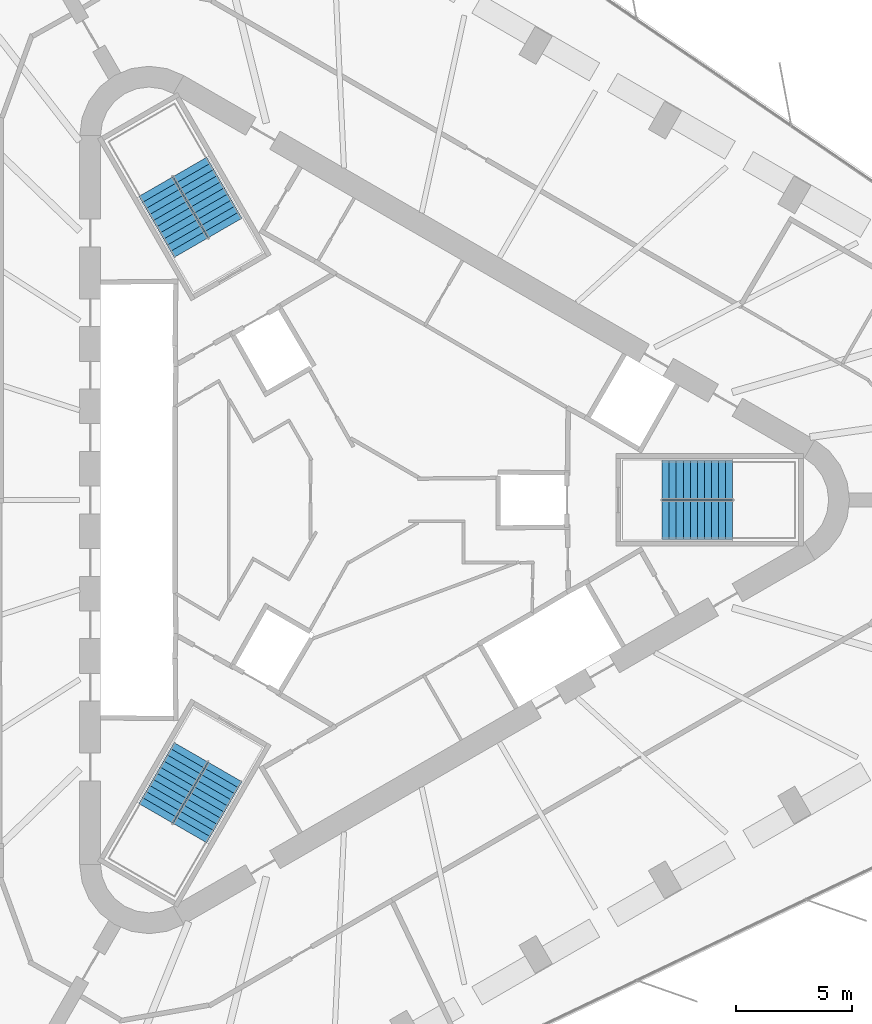
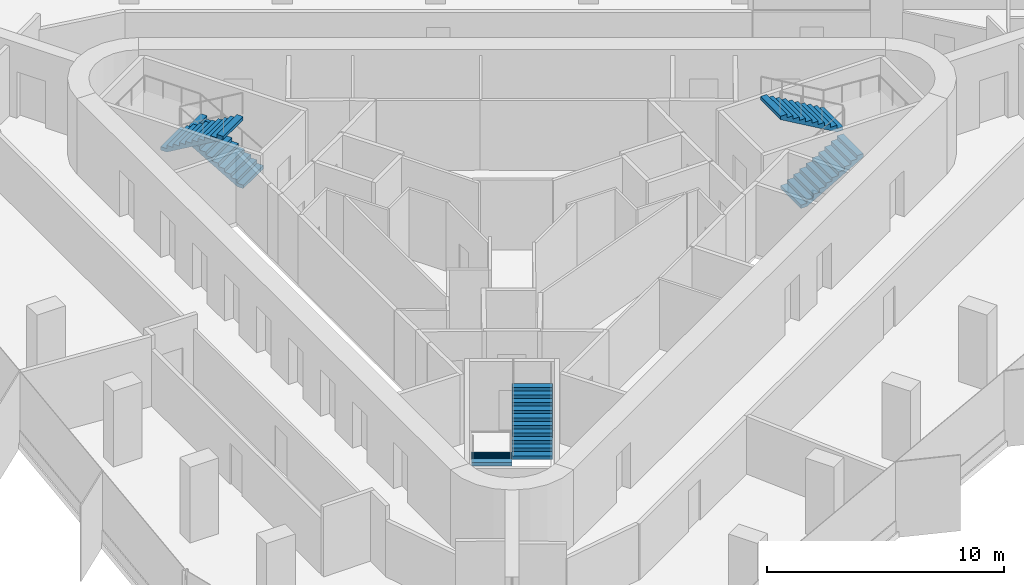
# One storey, part 13 of 14: 6 stair flights, 3 elements without a shape of their own.
"""IFC4 building model written with IfcOpenShell, lengths in metres."""

from ifc_helpers import new_model, si_unit, direction, frame, origin, place, context, subcontext, project, spatial, polyline, outline, extrude, material, type_object, element, aggregate, save


model = new_model("IFC4")

# Units and contexts
model_context = context("Model", 3, precision=1e-05, world=origin(), true_north=direction((0.0, 1.0)))
body_context = subcontext(model_context, "Body", "Model", "MODEL_VIEW")
ifc_project = project(units=[si_unit("LENGTHUNIT", "METRE"), si_unit("AREAUNIT", "SQUARE_METRE"), si_unit("VOLUMEUNIT", "CUBIC_METRE"), si_unit("PLANEANGLEUNIT", "RADIAN"), si_unit("MASSUNIT", "GRAM", prefix="KILO")], contexts=[model_context])

# Site, building, storey
site_placement = place(None, origin())
site = spatial("IfcSite", under=ifc_project, at=site_placement, CompositionType="ELEMENT")
building_placement = place(site_placement, origin())
building = spatial("IfcBuilding", under=site, at=building_placement, Name="Tanit Gate Tower", CompositionType="ELEMENT")
storey_placement = place(building_placement, frame((0.0, 0.0, 298.699951171875)))
storey = spatial("IfcBuildingStorey", under=building, at=storey_placement, Name="L66", CompositionType="ELEMENT", Elevation=298.699951171875)

# Stair, stair flights
ifc_material_1 = material(Name="Concrete C40/50", Category="concrete")
stair_type = type_object("IfcStairType", Name="INT-STAIR-EXIT", PredefinedType="HALF_TURN_STAIR", material=ifc_material_1)
stair_1_placement = place(storey_placement, origin())
stair_1 = element("IfcStair", 1, at=stair_1_placement, inside=storey, type_object=stair_type, Name="L66 STAIR S1", PredefinedType="HALF_TURN_STAIR")
ifc_material_2 = material(Name="Concrete C40/50", Category="concrete")
stair_flight_type = type_object("IfcStairFlightType", Name="INT-STAIR-FLIGHT", PredefinedType="STRAIGHT", material=ifc_material_2)
stair_flight_1_placement = place(storey_placement, frame((13.094970703125, -0.8525390625, 0.0), z_axis=(0.0, 0.0, 1.0), x_axis=(1.0, 0.0, 0.0)))
stair_flight_1 = element("IfcStairFlight", 2, at=stair_flight_1_placement, type_object=stair_flight_type, Name="S1 flight 1", NumberOfRisers=11, NumberOfTreads=10, PredefinedType="STRAIGHT", RiserHeight=0.177272727, TreadLength=0.3051, context=body_context, shape_type="SweptSolid", body=[
    extrude(outline(polyline([(0.0, 0.0), (0.0, 0.17724609375), (0.30517578125, 0.17724609375), (0.30517578125, 0.3544921875), (0.610107421875, 0.3544921875), (0.610107421875, 0.53173828125), (0.915283203125, 0.53173828125), (0.915283203125, 0.708984375), (1.220458984375, 0.708984375), (1.220458984375, 0.886474609375), (1.525390625, 0.886474609375), (1.525390625, 1.063720703125), (1.83056640625, 1.063720703125), (1.83056640625, 1.240966796875), (2.1357421875, 1.240966796875), (2.1357421875, 1.418212890625), (2.44091796875, 1.418212890625), (2.44091796875, 1.595458984375), (2.745849609375, 1.595458984375), (2.745849609375, 1.772705078125), (3.051025390625, 1.772705078125), (3.051025390625, 1.949951171875), (3.051025390625, 1.599365234375), (0.29833984375, 0.0), (0.0, 0.0)])), frame((0.0, 0.84765625, 0.0), z_axis=(0.0, -1.0, 0.0), x_axis=(1.0, 0.0, 0.0)), (0.0, 0.0, 1.0), 1.695068359375),
])
stair_flight_2_placement = place(storey_placement, frame((16.14599609375, 0.8525390625, 1.949951171875), z_axis=(0.0, 0.0, 1.0), x_axis=(-1.0, 0.0, 0.0)))
stair_flight_2 = element("IfcStairFlight", 3, at=stair_flight_2_placement, type_object=stair_flight_type, Name="S1 flight 2", NumberOfRisers=11, NumberOfTreads=10, PredefinedType="STRAIGHT", RiserHeight=0.177272727, TreadLength=0.3051, context=body_context, shape_type="SweptSolid", body=[
    extrude(outline(polyline([(0.0, 0.0), (0.0, 0.17724609375), (0.30517578125, 0.17724609375), (0.30517578125, 0.3544921875), (0.610107421875, 0.3544921875), (0.610107421875, 0.53173828125), (0.915283203125, 0.53173828125), (0.915283203125, 0.708984375), (1.220458984375, 0.708984375), (1.220458984375, 0.886474609375), (1.525390625, 0.886474609375), (1.525390625, 1.063720703125), (1.83056640625, 1.063720703125), (1.83056640625, 1.240966796875), (2.1357421875, 1.240966796875), (2.1357421875, 1.418212890625), (2.44091796875, 1.418212890625), (2.44091796875, 1.595458984375), (2.745849609375, 1.595458984375), (2.745849609375, 1.772705078125), (3.051025390625, 1.772705078125), (3.051025390625, 1.949951171875), (3.051025390625, 1.599365234375), (0.29833984375, 0.0), (0.0, 0.0)])), frame((0.0, 0.84765625, 0.0), z_axis=(0.0, -1.0, 0.0), x_axis=(1.0, 0.0, 0.0)), (0.0, 0.0, 1.0), 1.695068359375),
])
aggregate(stair_1, [stair_flight_1, stair_flight_2])

stair_2_placement = place(storey_placement, origin())
stair_2 = element("IfcStair", 4, at=stair_2_placement, inside=storey, type_object=stair_type, Name="L66 STAIR S2", PredefinedType="HALF_TURN_STAIR")
stair_flight_3_placement = place(storey_placement, frame((-5.808349609375, 11.766357421875, 0.0), z_axis=(0.0, 0.0, 1.0), x_axis=(-0.5, 0.866025403784, 0.0)))
stair_flight_3 = element("IfcStairFlight", 5, at=stair_flight_3_placement, type_object=stair_flight_type, Name="S2 flight 1", NumberOfRisers=11, NumberOfTreads=10, PredefinedType="STRAIGHT", RiserHeight=0.177272727, TreadLength=0.30492, context=body_context, shape_type="SweptSolid", body=[
    extrude(outline(polyline([(0.0, 0.0), (0.0, 0.17724609375), (0.304931640625, 0.17724609375), (0.304931640625, 0.3544921875), (0.60986328125, 0.3544921875), (0.60986328125, 0.53173828125), (0.914794921875, 0.53173828125), (0.914794921875, 0.708984375), (1.2197265625, 0.708984375), (1.2197265625, 0.886474609375), (1.524658203125, 0.886474609375), (1.524658203125, 1.063720703125), (1.82958984375, 1.063720703125), (1.82958984375, 1.240966796875), (2.134521484375, 1.240966796875), (2.134521484375, 1.418212890625), (2.439453125, 1.418212890625), (2.439453125, 1.595458984375), (2.744384765625, 1.595458984375), (2.744384765625, 1.772705078125), (3.04931640625, 1.772705078125), (3.04931640625, 1.949951171875), (3.04931640625, 1.599365234375), (0.29833984375, 0.0), (0.0, 0.0)])), frame((0.0, 0.84716796875, 0.0), z_axis=(0.0, -1.0, 0.0), x_axis=(1.0, 0.0, 0.0)), (0.0, 0.0, 1.0), 1.694091796875),
])
stair_flight_4_placement = place(storey_placement, frame((-8.810302734375, 13.553955078125, 1.949951171875), z_axis=(0.0, 0.0, 1.0), x_axis=(0.5, -0.866025403784, 0.0)))
stair_flight_4 = element("IfcStairFlight", 6, at=stair_flight_4_placement, type_object=stair_flight_type, Name="S2 flight 2", NumberOfRisers=11, NumberOfTreads=10, PredefinedType="STRAIGHT", RiserHeight=0.177272727, TreadLength=0.30492, context=body_context, shape_type="SweptSolid", body=[
    extrude(outline(polyline([(0.0, 0.0), (0.0, 0.17724609375), (0.304931640625, 0.17724609375), (0.304931640625, 0.3544921875), (0.60986328125, 0.3544921875), (0.60986328125, 0.53173828125), (0.914794921875, 0.53173828125), (0.914794921875, 0.708984375), (1.2197265625, 0.708984375), (1.2197265625, 0.886474609375), (1.524658203125, 0.886474609375), (1.524658203125, 1.063720703125), (1.82958984375, 1.063720703125), (1.82958984375, 1.240966796875), (2.134521484375, 1.240966796875), (2.134521484375, 1.418212890625), (2.439453125, 1.418212890625), (2.439453125, 1.595458984375), (2.744384765625, 1.595458984375), (2.744384765625, 1.772705078125), (3.04931640625, 1.772705078125), (3.04931640625, 1.949951171875), (3.04931640625, 1.599365234375), (0.29833984375, 0.0), (0.0, 0.0)])), frame((0.0, 0.84716796875, 0.0), z_axis=(0.0, -1.0, 0.0), x_axis=(1.0, 0.0, 0.0)), (0.0, 0.0, 1.0), 1.694091796875),
])
aggregate(stair_2, [stair_flight_3, stair_flight_4])

stair_3_placement = place(storey_placement, origin())
stair_3 = element("IfcStair", 7, at=stair_3_placement, inside=storey, type_object=stair_type, Name="L66 STAIR S3", PredefinedType="HALF_TURN_STAIR")
stair_flight_5_placement = place(storey_placement, frame((-7.285888671875, -10.914306640625, 0.0), z_axis=(0.0, 0.0, 1.0), x_axis=(-0.5, -0.866025403784, 0.0)))
stair_flight_5 = element("IfcStairFlight", 8, at=stair_flight_5_placement, type_object=stair_flight_type, Name="S3 flight 1", NumberOfRisers=11, NumberOfTreads=10, PredefinedType="STRAIGHT", RiserHeight=0.177272727, TreadLength=0.3051, context=body_context, shape_type="SweptSolid", body=[
    extrude(outline(polyline([(0.0, 0.0), (0.0, 0.17724609375), (0.30517578125, 0.17724609375), (0.30517578125, 0.3544921875), (0.610107421875, 0.3544921875), (0.610107421875, 0.53173828125), (0.915283203125, 0.53173828125), (0.915283203125, 0.708984375), (1.220458984375, 0.708984375), (1.220458984375, 0.886474609375), (1.525390625, 0.886474609375), (1.525390625, 1.063720703125), (1.83056640625, 1.063720703125), (1.83056640625, 1.240966796875), (2.1357421875, 1.240966796875), (2.1357421875, 1.418212890625), (2.44091796875, 1.418212890625), (2.44091796875, 1.595458984375), (2.745849609375, 1.595458984375), (2.745849609375, 1.772705078125), (3.051025390625, 1.772705078125), (3.051025390625, 1.949951171875), (3.051025390625, 1.599365234375), (0.29833984375, 0.0), (0.0, 0.0)])), frame((0.0, 0.84765625, 0.0), z_axis=(0.0, -1.0, 0.0), x_axis=(1.0, 0.0, 0.0)), (0.0, 0.0, 1.0), 1.695068359375),
])
stair_flight_6_placement = place(storey_placement, frame((-7.334716796875, -14.4091796875, 1.949951171875), z_axis=(0.0, 0.0, 1.0), x_axis=(0.5, 0.866025403784, 0.0)))
stair_flight_6 = element("IfcStairFlight", 9, at=stair_flight_6_placement, type_object=stair_flight_type, Name="S3 flight 2", NumberOfRisers=11, NumberOfTreads=10, PredefinedType="STRAIGHT", RiserHeight=0.177272727, TreadLength=0.3051, context=body_context, shape_type="SweptSolid", body=[
    extrude(outline(polyline([(0.0, 0.0), (0.0, 0.17724609375), (0.30517578125, 0.17724609375), (0.30517578125, 0.3544921875), (0.610107421875, 0.3544921875), (0.610107421875, 0.53173828125), (0.915283203125, 0.53173828125), (0.915283203125, 0.708984375), (1.220458984375, 0.708984375), (1.220458984375, 0.886474609375), (1.525390625, 0.886474609375), (1.525390625, 1.063720703125), (1.83056640625, 1.063720703125), (1.83056640625, 1.240966796875), (2.1357421875, 1.240966796875), (2.1357421875, 1.418212890625), (2.44091796875, 1.418212890625), (2.44091796875, 1.595458984375), (2.745849609375, 1.595458984375), (2.745849609375, 1.772705078125), (3.051025390625, 1.772705078125), (3.051025390625, 1.949951171875), (3.051025390625, 1.599365234375), (0.29833984375, 0.0), (0.0, 0.0)])), frame((0.0, 0.84765625, 0.0), z_axis=(0.0, -1.0, 0.0), x_axis=(1.0, 0.0, 0.0)), (0.0, 0.0, 1.0), 1.695068359375),
])
aggregate(stair_3, [stair_flight_5, stair_flight_6])

save(model, "model.ifc")
